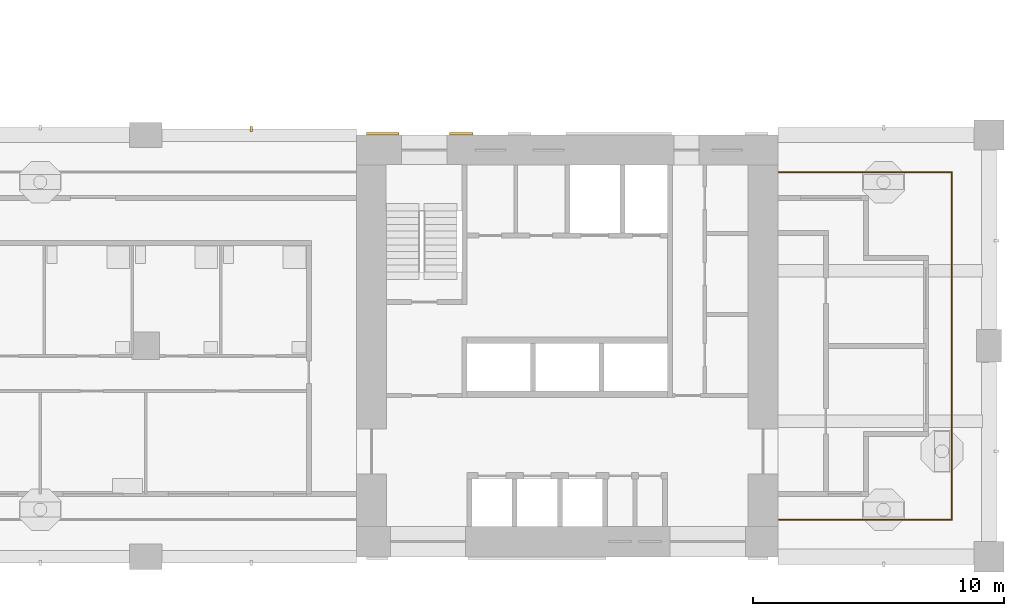
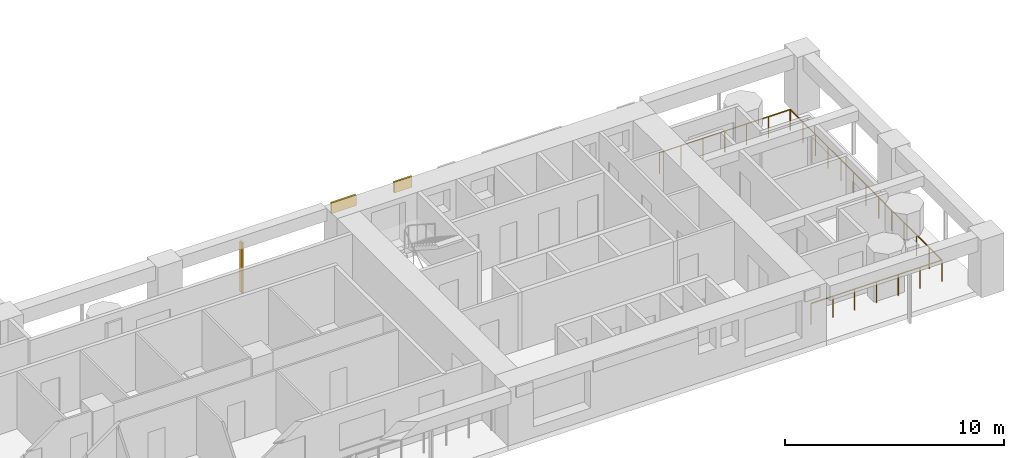
# One storey, part 13 of 19: 3 shading devices, 1 railing.
"""IFC4 building model written with IfcOpenShell, lengths in metres."""

from ifc_helpers import new_model, si_unit, direction, frame, origin, origin_2d, place, context, subcontext, project, spatial, rectangle, circle, extrude, material, layer, layer_set, material_profile, profile_set, type_object, element, save


model = new_model("IFC4")

# Units and contexts
model_context = context("Model", 3, precision=1e-05, world=origin(), true_north=direction((0.0, 1.0)))
body_context = subcontext(model_context, "Body", "Model", "MODEL_VIEW")
ifc_project = project(units=[si_unit("LENGTHUNIT", "METRE"), si_unit("AREAUNIT", "SQUARE_METRE"), si_unit("VOLUMEUNIT", "CUBIC_METRE"), si_unit("PLANEANGLEUNIT", "RADIAN"), si_unit("MASSUNIT", "GRAM", prefix="KILO")], contexts=[model_context])

# Site, building, storey
site_placement = place(None, origin())
site = spatial("IfcSite", under=ifc_project, at=site_placement, CompositionType="ELEMENT")
building_placement = place(site_placement, origin())
building = spatial("IfcBuilding", under=site, at=building_placement, Name="Vermilion Gate Residences", CompositionType="ELEMENT")
storey_placement = place(building_placement, frame((0.0, 0.0, 123.199951171875)))
storey = spatial("IfcBuildingStorey", under=building, at=storey_placement, Name="L31", CompositionType="ELEMENT", Elevation=123.199951171875)

# Railing
ifc_material_1 = material(Name="Stainless steel and toughened glass", Category="steel")
railing_type = type_object("IfcRailingType", Name="LOGGIA GUARD STEEL AND GLASS 1200", PredefinedType="GUARDRAIL", material=ifc_material_1)
railing_placement = place(storey_placement, frame((58.822021484375, 9.875, 0.0)))
element("IfcRailing", 1, at=railing_placement, inside=storey, type_object=railing_type, Name="Loggia guard", PredefinedType="GUARDRAIL", context=body_context, shape_type="SweptSolid", body=[
    extrude(circle(Radius=0.030029296875, at=origin_2d()), frame((0.0, 0.0, 1.169921875), z_axis=(1.0, 0.0, 0.0), x_axis=(0.0, 1.0, 0.0)), (0.0, 0.0, 1.0), 6.903076171875),
    extrude(circle(Radius=0.030029296875, at=origin_2d()), frame((6.903076171875, 0.0, 1.169921875), z_axis=(0.0, 1.0, 0.0), x_axis=(-1.0, 0.0, 0.0)), (0.0, 0.0, 1.0), 13.85009765625),
    extrude(circle(Radius=0.030029296875, at=origin_2d()), frame((6.903076171875, 13.85009765625, 1.169921875), z_axis=(-1.0, 0.0, 0.0), x_axis=(0.0, -1.0, 0.0)), (0.0, 0.0, 1.0), 6.903076171875),
    extrude(circle(Radius=0.02490234375, at=origin_2d()), origin(), (0.0, 0.0, 1.0), 1.139892578125),
    extrude(circle(Radius=0.02490234375, at=origin_2d()), frame((1.150390625, 0.0, 0.0)), (0.0, 0.0, 1.0), 1.139892578125),
    extrude(circle(Radius=0.02490234375, at=origin_2d()), frame((2.301025390625, 0.0, 0.0)), (0.0, 0.0, 1.0), 1.139892578125),
    extrude(circle(Radius=0.02490234375, at=origin_2d()), frame((3.45166015625, 0.0, 0.0)), (0.0, 0.0, 1.0), 1.139892578125),
    extrude(circle(Radius=0.02490234375, at=origin_2d()), frame((4.60205078125, 0.0, 0.0)), (0.0, 0.0, 1.0), 1.139892578125),
    extrude(circle(Radius=0.02490234375, at=origin_2d()), frame((5.75244140625, 0.0, 0.0)), (0.0, 0.0, 1.0), 1.139892578125),
    extrude(circle(Radius=0.02490234375, at=origin_2d()), frame((6.903076171875, 0.0, 0.0)), (0.0, 0.0, 1.0), 1.139892578125),
    extrude(circle(Radius=0.02490234375, at=origin_2d()), frame((6.903076171875, 1.154296875, 0.0)), (0.0, 0.0, 1.0), 1.139892578125),
    extrude(circle(Radius=0.02490234375, at=origin_2d()), frame((6.903076171875, 2.308349609375, 0.0)), (0.0, 0.0, 1.0), 1.139892578125),
    extrude(circle(Radius=0.02490234375, at=origin_2d()), frame((6.903076171875, 3.46240234375, 0.0)), (0.0, 0.0, 1.0), 1.139892578125),
    extrude(circle(Radius=0.02490234375, at=origin_2d()), frame((6.903076171875, 4.61669921875, 0.0)), (0.0, 0.0, 1.0), 1.139892578125),
    extrude(circle(Radius=0.02490234375, at=origin_2d()), frame((6.903076171875, 5.77099609375, 0.0)), (0.0, 0.0, 1.0), 1.139892578125),
    extrude(circle(Radius=0.02490234375, at=origin_2d()), frame((6.903076171875, 6.925048828125, 0.0)), (0.0, 0.0, 1.0), 1.139892578125),
    extrude(circle(Radius=0.02490234375, at=origin_2d()), frame((6.903076171875, 8.0791015625, 0.0)), (0.0, 0.0, 1.0), 1.139892578125),
    extrude(circle(Radius=0.02490234375, at=origin_2d()), frame((6.903076171875, 9.2333984375, 0.0)), (0.0, 0.0, 1.0), 1.139892578125),
    extrude(circle(Radius=0.02490234375, at=origin_2d()), frame((6.903076171875, 10.3876953125, 0.0)), (0.0, 0.0, 1.0), 1.139892578125),
    extrude(circle(Radius=0.02490234375, at=origin_2d()), frame((6.903076171875, 11.541748046875, 0.0)), (0.0, 0.0, 1.0), 1.139892578125),
    extrude(circle(Radius=0.02490234375, at=origin_2d()), frame((6.903076171875, 12.69580078125, 0.0)), (0.0, 0.0, 1.0), 1.139892578125),
    extrude(circle(Radius=0.02490234375, at=origin_2d()), frame((6.903076171875, 13.85009765625, 0.0)), (0.0, 0.0, 1.0), 1.139892578125),
    extrude(circle(Radius=0.02490234375, at=origin_2d()), frame((5.75244140625, 13.85009765625, 0.0)), (0.0, 0.0, 1.0), 1.139892578125),
    extrude(circle(Radius=0.02490234375, at=origin_2d()), frame((4.60205078125, 13.85009765625, 0.0)), (0.0, 0.0, 1.0), 1.139892578125),
    extrude(circle(Radius=0.02490234375, at=origin_2d()), frame((3.45166015625, 13.85009765625, 0.0)), (0.0, 0.0, 1.0), 1.139892578125),
    extrude(circle(Radius=0.02490234375, at=origin_2d()), frame((2.301025390625, 13.85009765625, 0.0)), (0.0, 0.0, 1.0), 1.139892578125),
    extrude(circle(Radius=0.02490234375, at=origin_2d()), frame((1.150390625, 13.85009765625, 0.0)), (0.0, 0.0, 1.0), 1.139892578125),
    extrude(circle(Radius=0.02490234375, at=origin_2d()), frame((0.0, 13.85009765625, 0.0)), (0.0, 0.0, 1.0), 1.139892578125),
])

# Shading devices
ifc_material_2 = material(Name="Extruded terracotta", Category="masonry")
ifc_material_profile = material_profile(ifc_material_2, rectangle(XDim=0.199951171875, YDim=0.10009765625, at=origin_2d()), Name="BAGUETTE 100 X 200")
ifc_profile_set = profile_set([ifc_material_profile], Name="Extruded terracotta")
shading_device_type_1 = type_object("IfcShadingDeviceType", Name="TERRACOTTA BAGUETTE 100 X 200", PredefinedType="JALOUSIE", material=ifc_profile_set)
shading_device_1_placement = place(storey_placement, frame((37.800048828125, 25.449951171875, -0.280029296875), z_axis=(0.0, 0.0, 1.0), x_axis=(0.0, -1.0, 0.0)))
element("IfcShadingDevice", 2, at=shading_device_1_placement, inside=storey, type_object=shading_device_type_1, Name="BAGUETTE", PredefinedType="JALOUSIE", context=body_context, shape_type="SweptSolid", body=[
    extrude(rectangle(XDim=0.199951171875, YDim=0.10009765625, at=origin_2d()), origin(), (0.0, 0.0, 1.0), 2.800048828125),
])
ifc_material_3 = material(Name="Extruded terracotta", Category="masonry")
ifc_layer = layer(ifc_material_3, 0.10009765625)
ifc_layer_set = layer_set([ifc_layer], Name="TERRACOTTA SPANDREL BAND 600 X 100")
shading_device_type_2 = type_object("IfcShadingDeviceType", Name="TERRACOTTA SPANDREL BAND 600 X 100", PredefinedType="USERDEFINED", material=ifc_layer_set)
shading_device_2_placement = place(storey_placement, frame((43.050048828125, 25.25, 2.6201171875), z_axis=(0.0, 0.0, 1.0), x_axis=(1.0, 0.0, 0.0)))
element("IfcShadingDevice", 3, at=shading_device_2_placement, inside=storey, type_object=shading_device_type_2, Name="SPANDREL BAND", ObjectType="BAND", PredefinedType="USERDEFINED", context=body_context, shape_type="SweptSolid", body=[
    extrude(rectangle(XDim=1.300048828125, YDim=0.10009765625, at=origin_2d()), origin(), (0.0, 0.0, 1.0), 0.60009765625),
])
shading_device_3_placement = place(storey_placement, frame((46.168701171875, 25.25, 2.6201171875), z_axis=(0.0, 0.0, 1.0), x_axis=(1.0, 0.0, 0.0)))
element("IfcShadingDevice", 4, at=shading_device_3_placement, inside=storey, type_object=shading_device_type_2, Name="SPANDREL BAND", ObjectType="BAND", PredefinedType="USERDEFINED", context=body_context, shape_type="SweptSolid", body=[
    extrude(rectangle(XDim=0.9375, YDim=0.10009765625, at=origin_2d()), origin(), (0.0, 0.0, 1.0), 0.60009765625),
])

save(model, "model.ifc")
